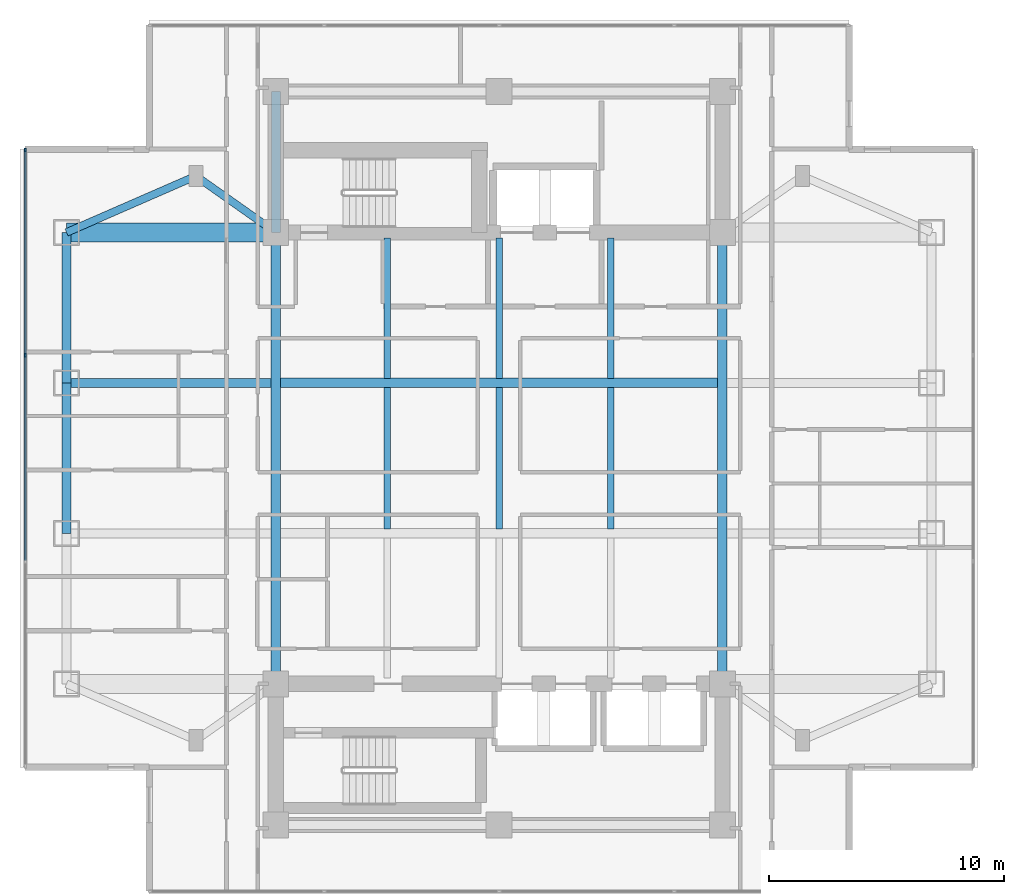
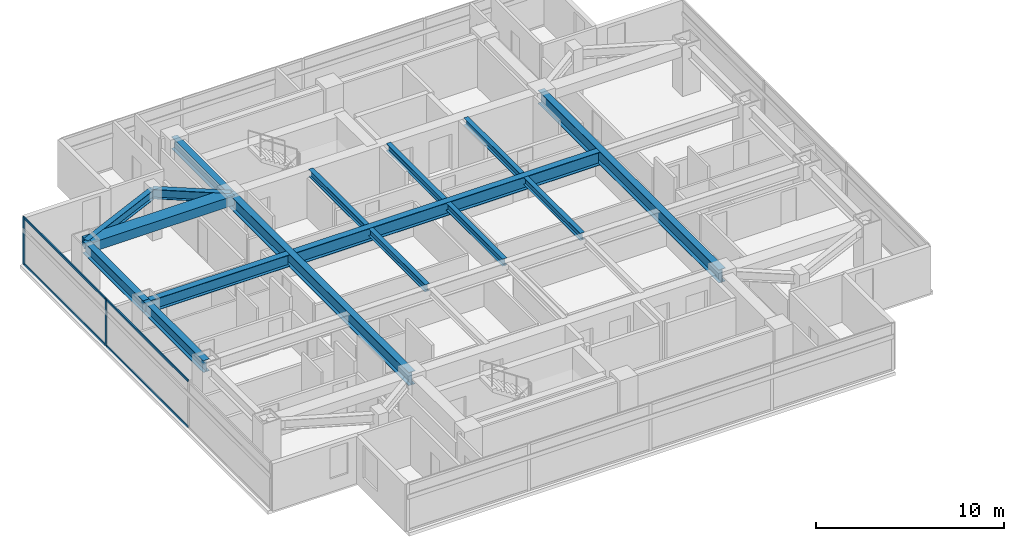
# One storey, part 3 of 26: 16 beams, 6 members, 1 element without a shape of its own.
"""IFC4 building model written with IfcOpenShell, lengths in metres."""

import ifcopenshell
import ifcopenshell.guid

model = None  # the IFC model being written
_history = None  # IfcOwnerHistory: only IFC2X3 demands one
_inside = {}  # id of a spatial element -> (the spatial element, [elements in it])
_under = {}  # id of a project, library or spatial element -> (it, [spatial elements below it])
_declared = {}  # id of a project -> (the project, [libraries it declares])
_typed = {}  # id of a type object -> (the type object, [elements of that type])
_made_of = {}  # id of a material, layer set ... -> (it, [elements and type objects made of it])


def new_model(schema):
    """Start an empty IFC model of exactly this schema.

    Asked for "IFC4X3", IfcOpenShell would pick the latest addendum, in which some entities
    have other attributes; the version numbers below select the first issue.
    IFC2X3 requires an IfcOwnerHistory on every rooted entity: one is made here for all.
    """
    global model, _history
    if schema == "IFC4X3":
        model = ifcopenshell.file(schema_version=(4, 3, 0, 0))
    else:
        model = ifcopenshell.file(schema=schema)
    _inside.clear()
    _under.clear()
    _declared.clear()
    _typed.clear()
    _made_of.clear()
    _history = None
    if model.schema == "IFC2X3":
        org = make("IfcOrganization", Name="unknown")
        user = make(
            "IfcPersonAndOrganization",
            ThePerson=make("IfcPerson", FamilyName="unknown"),
            TheOrganization=org,
        )
        app = make(
            "IfcApplication",
            ApplicationDeveloper=org,
            Version="unknown",
            ApplicationFullName="unknown",
            ApplicationIdentifier="unknown",
        )
        _history = make(
            "IfcOwnerHistory",
            OwningUser=user,
            OwningApplication=app,
            ChangeAction="ADDED",
            CreationDate=0,
        )
    return model


def make(cls, **values):
    """One entity of the class cls with the attributes given. An attribute that is None is left unset."""
    return model.create_entity(
        cls, **{name: value for name, value in values.items() if value is not None}
    )


def rooted(cls, **values):
    """An entity with a GlobalId (a new one), such as an element, a storey or a relation."""
    return make(cls, GlobalId=ifcopenshell.guid.new(), OwnerHistory=_history, **values)


def si_unit(unit_type, name, prefix=None):
    """IfcSIUnit, for example si_unit("LENGTHUNIT", "METRE", prefix="MILLI")."""
    return make("IfcSIUnit", UnitType=unit_type, Prefix=prefix, Name=name)


def assignment(units):
    """IfcUnitAssignment: the units of a project."""
    return None if units is None else make("IfcUnitAssignment", Units=units)


def point(xyz):
    """IfcCartesianPoint."""
    return None if xyz is None else make("IfcCartesianPoint", Coordinates=xyz)


def direction(xyz):
    """IfcDirection."""
    return None if xyz is None else make("IfcDirection", DirectionRatios=xyz)


def frame(location, z_axis=None, x_axis=None):
    """IfcAxis2Placement3D, a coordinate frame: its origin and axes. An axis left out is left unset."""
    return make(
        "IfcAxis2Placement3D",
        Location=point(location),
        Axis=direction(z_axis),
        RefDirection=direction(x_axis),
    )


def frame_2d(location, x_axis=None):
    """IfcAxis2Placement2D, a coordinate frame in the plane: its origin and x axis."""
    return make(
        "IfcAxis2Placement2D", Location=point(location), RefDirection=direction(x_axis)
    )


def origin():
    """The frame at (0, 0, 0) with its axes left unset."""
    return frame((0.0, 0.0, 0.0))


def origin_2d():
    """The frame at (0, 0) in the plane with its x axis left unset."""
    return frame_2d((0.0, 0.0))


def place(relative_to, where):
    """IfcLocalPlacement: puts the frame where relative to a parent placement (None: the world)."""
    return make(
        "IfcLocalPlacement", PlacementRelTo=relative_to, RelativePlacement=where
    )


def context(
    kind, dimensions, precision=None, world=None, true_north=None, identifier=None
):
    """IfcGeometricRepresentationContext, for example the 3D "Model" context."""
    return make(
        "IfcGeometricRepresentationContext",
        ContextIdentifier=identifier,
        ContextType=kind,
        CoordinateSpaceDimension=dimensions,
        Precision=precision,
        WorldCoordinateSystem=world,
        TrueNorth=true_north,
    )


def subcontext(parent, identifier, kind, view, scale=None):
    """IfcGeometricRepresentationSubContext, for example "Body" below "Model"."""
    return make(
        "IfcGeometricRepresentationSubContext",
        ContextIdentifier=identifier,
        ContextType=kind,
        ParentContext=parent,
        TargetScale=scale,
        TargetView=view,
    )


def project(units=None, contexts=None):
    """IfcProject with its units and contexts."""
    return rooted(
        "IfcProject",
        Name="project",
        RepresentationContexts=contexts,
        UnitsInContext=assignment(units),
    )


def spatial(cls, under=None, at=None, **own):
    """A site, building, storey or space (cls), placed at a placement, below another one or the project."""
    s = rooted(cls, ObjectPlacement=at, **own)
    if under is not None:
        _under.setdefault(under.id(), (under, []))[1].append(s)
    return s


def profile(cls, at=None, kind="AREA", **sizes):
    """A parametric profile (cls). Its sizes go by their IFC names, for example OverallWidth=200.0."""
    return make(cls, ProfileType=kind, Position=at, **sizes)


def rectangle(**sizes):
    """IfcRectangleProfileDef."""
    return profile("IfcRectangleProfileDef", **sizes)


def i_section(**sizes):
    """IfcIShapeProfileDef."""
    return profile("IfcIShapeProfileDef", **sizes)


def extrude(swept, where, along, depth):
    """IfcExtrudedAreaSolid: the profile swept, set in the frame where, extruded along a direction by depth."""
    return make(
        "IfcExtrudedAreaSolid",
        SweptArea=swept,
        Position=where,
        ExtrudedDirection=direction(along),
        Depth=depth,
    )


def shape(context_of_items, identifier, shape_type, items):
    """IfcShapeRepresentation: the items that make up one representation, for example the "Body"."""
    return make(
        "IfcShapeRepresentation",
        ContextOfItems=context_of_items,
        RepresentationIdentifier=identifier,
        RepresentationType=shape_type,
        Items=items,
    )


def material(Name=None, Category=None):
    """IfcMaterial."""
    return make("IfcMaterial", Name=Name, Category=Category)


def material_profile(
    of_material, cross_section, Name=None, Category=None, Priority=None
):
    """IfcMaterialProfile: a cross section and its material."""
    return make(
        "IfcMaterialProfile",
        Name=Name,
        Material=of_material,
        Profile=cross_section,
        Priority=Priority,
        Category=Category,
    )


def profile_set(profiles, Name=None, composite=None):
    """IfcMaterialProfileSet."""
    return make(
        "IfcMaterialProfileSet",
        Name=Name,
        MaterialProfiles=profiles,
        CompositeProfile=composite,
    )


def made_of(thing, what):
    """Note that an element or type object is made of a material, layer set ...; save() writes the relation."""
    if what is not None:
        _made_of.setdefault(what.id(), (what, []))[1].append(thing)
    return thing


def type_object(cls, material=None, **own):
    """A type object (cls), such as IfcWallType, which elements share."""
    return made_of(rooted(cls, **own), material)


def element(
    cls,
    number,
    at=None,
    inside=None,
    cuts=None,
    type_object=None,
    material=None,
    context=None,
    identifier="Body",
    shape_type=None,
    held_by="IfcProductDefinitionShape",
    body=None,
    shapes=None,
    **own,
):
    """One element of the class cls, such as IfcWall. Its Tag is "e" and its number.

    at: its placement. inside: the storey or other place that contains it. cuts: it is an
    opening in that element (IfcRelVoidsElement). A single representation is given by context,
    identifier, shape_type and body (its items); several are given by shapes. held_by: the class
    of the entity that holds the representations. save() writes the other relations.
    """
    e = rooted(cls, Tag="e%d" % number, ObjectPlacement=at, **own)
    if body is not None:
        shapes = [shape(context, identifier, shape_type, body)]
    if shapes is not None:
        e.Representation = make(held_by, Representations=shapes)
    if inside is not None:
        _inside.setdefault(inside.id(), (inside, []))[1].append(e)
    if cuts is not None:
        rooted(
            "IfcRelVoidsElement", RelatingBuildingElement=cuts, RelatedOpeningElement=e
        )
    if type_object is not None:
        _typed.setdefault(type_object.id(), (type_object, []))[1].append(e)
    return made_of(e, material)


def aggregate(whole, parts):
    """IfcRelAggregates: a whole, such as a stair, and the parts it consists of."""
    return rooted("IfcRelAggregates", RelatingObject=whole, RelatedObjects=parts)


def save(model, path):
    """Write the relations noted so far, then the file.

    IfcRelAggregates (storeys below a building ...), IfcRelContainedInSpatialStructure (elements
    in a storey), IfcRelDefinesByType, IfcRelAssociatesMaterial and IfcRelDeclares: one each for
    every whole, place, type object, material and project.
    """
    for whole, parts in _under.values():
        aggregate(whole, parts)
    for where, things in _inside.values():
        rooted(
            "IfcRelContainedInSpatialStructure",
            RelatedElements=things,
            RelatingStructure=where,
        )
    for kind, things in _typed.values():
        rooted("IfcRelDefinesByType", RelatedObjects=things, RelatingType=kind)
    for what, things in _made_of.values():
        rooted("IfcRelAssociatesMaterial", RelatedObjects=things, RelatingMaterial=what)
    for by, libraries in _declared.values():
        rooted("IfcRelDeclares", RelatingContext=by, RelatedDefinitions=libraries)
    model.write(path)


model = new_model("IFC4")

# Units and contexts
model_context = context("Model", 3, precision=1e-05, world=origin(), true_north=direction((0.0, 1.0)))
body_context = subcontext(model_context, "Body", "Model", "MODEL_VIEW")
ifc_project = project(units=[si_unit("LENGTHUNIT", "METRE"), si_unit("AREAUNIT", "SQUARE_METRE"), si_unit("VOLUMEUNIT", "CUBIC_METRE"), si_unit("PLANEANGLEUNIT", "RADIAN"), si_unit("MASSUNIT", "GRAM", prefix="KILO")], contexts=[model_context])

# Site, building, storey
site_placement = place(None, origin())
site = spatial("IfcSite", under=ifc_project, at=site_placement, CompositionType="ELEMENT")
building_placement = place(site_placement, origin())
building = spatial("IfcBuilding", under=site, at=building_placement, Name="Mirazonda Arch Towers", CompositionType="ELEMENT")
storey_placement = place(building_placement, frame((0.0, 0.0, 121.39990234375)))
storey = spatial("IfcBuildingStorey", under=building, at=storey_placement, Name="L34", CompositionType="ELEMENT", Elevation=121.39990234375)

# Beams
ifc_material_1 = material(Name="Steel ASTM A992 Grade 50", Category="steel")
ifc_material_profile_1 = material_profile(ifc_material_1, i_section(OverallWidth=0.381103515625, OverallDepth=0.77294921875, WebThickness=0.0166015625, FlangeThickness=0.027099609375, at=origin_2d()), Name="W30X173")
ifc_profile_set_1 = profile_set([ifc_material_profile_1], Name="Steel ASTM A992 Grade 50")
beam_type_1 = type_object("IfcBeamType", Name="BM-EXT-W30X173", PredefinedType="USERDEFINED", material=ifc_profile_set_1)
beam_1_placement = place(storey_placement, frame((2.10009765625, 24.800048828125, 2.693603515625), z_axis=(0.0, 1.0, 0.0), x_axis=(-1.0, 0.0, 0.0)))
element("IfcBeam", 1, at=beam_1_placement, inside=storey, type_object=beam_type_1, Name="L34 Floor Beam BM-T1-L34-NS-W-24", ObjectType="GIRDER", PredefinedType="USERDEFINED", context=body_context, shape_type="SweptSolid", body=[
    extrude(i_section(OverallWidth=0.381103515625, OverallDepth=0.77294921875, WebThickness=0.0166015625, FlangeThickness=0.027099609375, at=origin_2d()), origin(), (0.0, 0.0, 1.0), 6.39990234375),
])
beam_2_placement = place(storey_placement, frame((2.10009765625, 31.199951171875, 2.693603515625), z_axis=(0.0, 1.0, 0.0), x_axis=(-1.0, 0.0, 0.0)))
element("IfcBeam", 2, at=beam_2_placement, inside=storey, type_object=beam_type_1, Name="L34 Floor Beam BM-T1-L34-NS-W-31", ObjectType="GIRDER", PredefinedType="USERDEFINED", context=body_context, shape_type="SweptSolid", body=[
    extrude(i_section(OverallWidth=0.381103515625, OverallDepth=0.77294921875, WebThickness=0.0166015625, FlangeThickness=0.027099609375, at=origin_2d()), origin(), (0.0, 0.0, 1.0), 6.400146484375),
])
ifc_material_profile_2 = material_profile(ifc_material_1, i_section(OverallWidth=0.280029296875, OverallDepth=0.462890625, WebThickness=0.0107421875, FlangeThickness=0.017333984375, at=origin_2d()), Name="W18X76")
ifc_profile_set_2 = profile_set([ifc_material_profile_2], Name="Steel ASTM A992 Grade 50")
beam_type_2 = type_object("IfcBeamType", Name="BM-INT-W18X76", PredefinedType="JOIST", material=ifc_profile_set_2)
beam_3_placement = place(storey_placement, frame((15.75, 31.39599609375, 2.8486328125), z_axis=(0.0, 1.0, 0.0), x_axis=(-1.0, 0.0, 0.0)))
element("IfcBeam", 3, at=beam_3_placement, inside=storey, type_object=beam_type_2, Name="L34 Floor Beam BM-T1-L34-J-157-31", PredefinedType="JOIST", context=body_context, shape_type="SweptSolid", body=[
    extrude(i_section(OverallWidth=0.280029296875, OverallDepth=0.462890625, WebThickness=0.0107421875, FlangeThickness=0.017333984375, at=origin_2d()), origin(), (0.0, 0.0, 1.0), 5.964111328125),
])
beam_4_placement = place(storey_placement, frame((15.75, 24.99609375, 2.8486328125), z_axis=(0.0, 1.0, 0.0), x_axis=(-1.0, 0.0, 0.0)))
element("IfcBeam", 4, at=beam_4_placement, inside=storey, type_object=beam_type_2, Name="L34 Floor Beam BM-T1-L34-J-157-24", PredefinedType="JOIST", context=body_context, shape_type="SweptSolid", body=[
    extrude(i_section(OverallWidth=0.280029296875, OverallDepth=0.462890625, WebThickness=0.0107421875, FlangeThickness=0.017333984375, at=origin_2d()), origin(), (0.0, 0.0, 1.0), 6.0078125),
])
beam_5_placement = place(storey_placement, frame((20.5, 31.39599609375, 2.8486328125), z_axis=(0.0, 1.0, 0.0), x_axis=(-1.0, 0.0, 0.0)))
element("IfcBeam", 5, at=beam_5_placement, inside=storey, type_object=beam_type_2, Name="L34 Floor Beam BM-T1-L34-J-205-31", PredefinedType="JOIST", context=body_context, shape_type="SweptSolid", body=[
    extrude(i_section(OverallWidth=0.280029296875, OverallDepth=0.462890625, WebThickness=0.0107421875, FlangeThickness=0.017333984375, at=origin_2d()), origin(), (0.0, 0.0, 1.0), 5.964111328125),
])
beam_6_placement = place(storey_placement, frame((20.5, 24.99609375, 2.8486328125), z_axis=(0.0, 1.0, 0.0), x_axis=(-1.0, 0.0, 0.0)))
element("IfcBeam", 6, at=beam_6_placement, inside=storey, type_object=beam_type_2, Name="L34 Floor Beam BM-T1-L34-J-205-24", PredefinedType="JOIST", context=body_context, shape_type="SweptSolid", body=[
    extrude(i_section(OverallWidth=0.280029296875, OverallDepth=0.462890625, WebThickness=0.0107421875, FlangeThickness=0.017333984375, at=origin_2d()), origin(), (0.0, 0.0, 1.0), 6.0078125),
])
beam_7_placement = place(storey_placement, frame((25.25, 31.39599609375, 2.8486328125), z_axis=(0.0, 1.0, 0.0), x_axis=(-1.0, 0.0, 0.0)))
element("IfcBeam", 7, at=beam_7_placement, inside=storey, type_object=beam_type_2, Name="L34 Floor Beam BM-T1-L34-J-252-31", PredefinedType="JOIST", context=body_context, shape_type="SweptSolid", body=[
    extrude(i_section(OverallWidth=0.280029296875, OverallDepth=0.462890625, WebThickness=0.0107421875, FlangeThickness=0.017333984375, at=origin_2d()), origin(), (0.0, 0.0, 1.0), 5.964111328125),
])
beam_8_placement = place(storey_placement, frame((25.25, 24.99609375, 2.8486328125), z_axis=(0.0, 1.0, 0.0), x_axis=(-1.0, 0.0, 0.0)))
element("IfcBeam", 8, at=beam_8_placement, inside=storey, type_object=beam_type_2, Name="L34 Floor Beam BM-T1-L34-J-252-24", PredefinedType="JOIST", context=body_context, shape_type="SweptSolid", body=[
    extrude(i_section(OverallWidth=0.280029296875, OverallDepth=0.462890625, WebThickness=0.0107421875, FlangeThickness=0.017333984375, at=origin_2d()), origin(), (0.0, 0.0, 1.0), 6.0078125),
])
ifc_material_profile_3 = material_profile(ifc_material_1, i_section(OverallWidth=0.324951171875, OverallDepth=0.615966796875, WebThickness=0.013916015625, FlangeThickness=0.021484375, at=origin_2d()), Name="W24X117")
ifc_profile_set_3 = profile_set([ifc_material_profile_3], Name="Steel ASTM A992 Grade 50")
beam_type_3 = type_object("IfcBeamType", Name="BM-INT-W24X117", PredefinedType="BEAM", material=ifc_profile_set_3)
beam_9_placement = place(storey_placement, frame((7.60009765625, 40.0, 2.772216796875), z_axis=(0.816971114901, -0.576678591087, 0.0), x_axis=(0.576678591087, 0.816971114901, 0.0)))
element("IfcBeam", 9, at=beam_9_placement, inside=storey, type_object=beam_type_3, Name="L34 Floor Beam BM-T1-L34-PL-NW1", PredefinedType="BEAM", context=body_context, shape_type="SweptSolid", body=[
    extrude(i_section(OverallWidth=0.324951171875, OverallDepth=0.615966796875, WebThickness=0.013916015625, FlangeThickness=0.021484375, at=origin_2d()), origin(), (0.0, 0.0, 1.0), 4.16162109375),
])
beam_10_placement = place(storey_placement, frame((7.60009765625, 40.0, 2.772216796875), z_axis=(-0.916545343703, -0.399930785183, 0.0), x_axis=(0.399930785183, -0.916545343703, 0.0)))
element("IfcBeam", 10, at=beam_10_placement, inside=storey, type_object=beam_type_3, Name="L34 Floor Beam BM-T1-L34-PL-NW2", PredefinedType="BEAM", context=body_context, shape_type="SweptSolid", body=[
    extrude(i_section(OverallWidth=0.324951171875, OverallDepth=0.615966796875, WebThickness=0.013916015625, FlangeThickness=0.021484375, at=origin_2d()), origin(), (0.0, 0.0, 1.0), 6.000732421875),
])
ifc_material_profile_4 = material_profile(ifc_material_1, i_section(OverallWidth=0.381103515625, OverallDepth=0.77294921875, WebThickness=0.0166015625, FlangeThickness=0.027099609375, at=origin_2d()), Name="W30X173")
ifc_profile_set_4 = profile_set([ifc_material_profile_4], Name="Steel ASTM A992 Grade 50")
beam_type_4 = type_object("IfcBeamType", Name="BM-INT-W30X173", PredefinedType="USERDEFINED", material=ifc_profile_set_4)
beam_11_placement = place(storey_placement, frame((2.10009765625, 31.199951171875, 2.693603515625), z_axis=(1.0, 0.0, 0.0), x_axis=(0.0, 1.0, 0.0)))
element("IfcBeam", 11, at=beam_11_placement, inside=storey, type_object=beam_type_4, Name="L34 Floor Beam BM-T1-L34-GW3", ObjectType="GIRDER", PredefinedType="USERDEFINED", context=body_context, shape_type="SweptSolid", body=[
    extrude(i_section(OverallWidth=0.381103515625, OverallDepth=0.77294921875, WebThickness=0.0166015625, FlangeThickness=0.027099609375, at=origin_2d()), origin(), (0.0, 0.0, 1.0), 8.699951171875),
])
beam_12_placement = place(storey_placement, frame((11.0, 37.60009765625, 2.693603515625), z_axis=(0.0, 1.0, 0.0), x_axis=(-1.0, 0.0, 0.0)))
element("IfcBeam", 12, at=beam_12_placement, inside=storey, type_object=beam_type_4, Name="L34 Floor Beam BM-T1-L34-CNW", ObjectType="GIRDER", PredefinedType="USERDEFINED", context=body_context, shape_type="SweptSolid", body=[
    extrude(i_section(OverallWidth=0.381103515625, OverallDepth=0.77294921875, WebThickness=0.0166015625, FlangeThickness=0.027099609375, at=origin_2d()), origin(), (0.0, 0.0, 1.0), 6.0),
])
ifc_material_profile_5 = material_profile(ifc_material_1, i_section(OverallWidth=0.39990234375, OverallDepth=0.85595703125, WebThickness=0.018310546875, FlangeThickness=0.029296875, at=origin_2d()), Name="W33X201")
ifc_profile_set_5 = profile_set([ifc_material_profile_5], Name="Steel ASTM A992 Grade 50")
beam_type_5 = type_object("IfcBeamType", Name="BM-INT-W33X201", PredefinedType="USERDEFINED", material=ifc_profile_set_5)
beam_13_placement = place(storey_placement, frame((11.199951171875, 31.199951171875, 2.652099609375), z_axis=(1.0, 0.0, 0.0), x_axis=(0.0, 1.0, 0.0)))
element("IfcBeam", 13, at=beam_13_placement, inside=storey, type_object=beam_type_5, Name="L34 Floor Beam BM-T1-L34-GC3", ObjectType="GIRDER", PredefinedType="USERDEFINED", context=body_context, shape_type="SweptSolid", body=[
    extrude(i_section(OverallWidth=0.39990234375, OverallDepth=0.85595703125, WebThickness=0.018310546875, FlangeThickness=0.029296875, at=origin_2d()), origin(), (0.0, 0.0, 1.0), 18.60009765625),
])
for number, where, z_axis, x_axis, name in (
    (14, (11.0, 18.39990234375, 2.652099609375), (0.0, 1.0, 0.0), (-1.0, 0.0, 0.0), "L34 Floor Beam BM-T1-L34-NS-CW-FULL"),
    (15, (30.0, 18.39990234375, 2.652099609375), (0.0, 1.0, 0.0), (-1.0, 0.0, 0.0), "L34 Floor Beam BM-T1-L34-NS-CE-FULL"),
):
    element("IfcBeam", number, at=place(storey_placement, frame(where, z_axis=z_axis, x_axis=x_axis)), inside=storey, type_object=beam_type_5, Name=name, ObjectType="GIRDER", PredefinedType="USERDEFINED", context=body_context, shape_type="SweptSolid", body=[
        extrude(i_section(OverallWidth=0.39990234375, OverallDepth=0.85595703125, WebThickness=0.018310546875, FlangeThickness=0.029296875, at=origin_2d()), origin(), (0.0, 0.0, 1.0), 19.2001953125),
    ])
ifc_material_2 = material(Name="Concrete C60/75", Category="concrete")
ifc_material_profile_6 = material_profile(ifc_material_2, rectangle(XDim=0.800048828125, YDim=0.60009765625, at=origin_2d()), Name="RCCB800x600")
ifc_profile_set_6 = profile_set([ifc_material_profile_6], Name="Concrete C60/75")
beam_type_6 = type_object("IfcBeamType", Name="CB-INT-RCCB800x600", PredefinedType="SPANDREL", material=ifc_profile_set_6)
beam_14_placement = place(storey_placement, frame((2.10009765625, 37.60009765625, 2.780029296875), z_axis=(1.0, 0.0, 0.0), x_axis=(0.0, 1.0, 0.0)))
element("IfcBeam", 16, at=beam_14_placement, inside=storey, type_object=beam_type_6, Name="L34 Floor Beam CBC-T1-L34-NW", PredefinedType="SPANDREL", context=body_context, shape_type="SweptSolid", body=[
    extrude(rectangle(XDim=0.800048828125, YDim=0.60009765625, at=origin_2d()), origin(), (0.0, 0.0, 1.0), 8.89990234375),
])

# Curtain wall, members
ifc_material_3 = material(Name="Anodised Aluminium and Low-E Glass", Category="aluminium")
curtain_wall_type = type_object("IfcCurtainWallType", Name="CW-HTL-UNIT", PredefinedType="NOTDEFINED", material=ifc_material_3)
curtain_wall_placement = place(storey_placement, origin())
curtain_wall = element("IfcCurtainWall", 17, at=curtain_wall_placement, inside=storey, type_object=curtain_wall_type, Name="L34 T1 W Facade CW-L34-T1-W", PredefinedType="NOTDEFINED")
ifc_material_4 = material(Name="Anodised Aluminium Alloy", Category="aluminium")
ifc_material_profile_7 = material_profile(ifc_material_4, rectangle(XDim=0.074951171875, YDim=0.1650390625, at=origin_2d()), Name="ALU-MULL-75x165")
ifc_profile_set_7 = profile_set([ifc_material_profile_7], Name="Anodised Aluminium Alloy")
member_type_1 = type_object("IfcMemberType", Name="MULL-CW-HTL-UNIT", PredefinedType="MULLION", material=ifc_profile_set_7)
member_1_placement = place(storey_placement, frame((0.340087890625, 41.110595703125, 0.0), z_axis=(0.0, 0.0, 1.0), x_axis=(1.0, 0.0, 0.0)))
member_1 = element("IfcMember", 18, at=member_1_placement, type_object=member_type_1, Name="CW-112 mullion 1", PredefinedType="MULLION", context=body_context, shape_type="SweptSolid", body=[
    extrude(rectangle(XDim=0.074951171875, YDim=0.1650390625, at=origin_2d()), origin(), (0.0, 0.0, 1.0), 3.06005859375),
])
member_2_placement = place(storey_placement, frame((0.340087890625, 32.382568359375, 0.0), z_axis=(0.0, 0.0, 1.0), x_axis=(1.0, 0.0, 0.0)))
member_2 = element("IfcMember", 19, at=member_2_placement, type_object=member_type_1, Name="CW-112 mullion 2", PredefinedType="MULLION", context=body_context, shape_type="SweptSolid", body=[
    extrude(rectangle(XDim=0.074951171875, YDim=0.1650390625, at=origin_2d()), origin(), (0.0, 0.0, 1.0), 3.06005859375),
])
ifc_material_profile_8 = material_profile(ifc_material_4, rectangle(XDim=0.074951171875, YDim=0.14501953125, at=origin_2d()), Name="ALU-TRAN-75x145")
ifc_profile_set_8 = profile_set([ifc_material_profile_8], Name="Anodised Aluminium Alloy")
member_type_2 = type_object("IfcMemberType", Name="TRAN-CW-HTL-UNIT", PredefinedType="USERDEFINED", material=ifc_profile_set_8)
member_3_placement = place(storey_placement, frame((0.340087890625, 41.072998046875, 0.03759765625), z_axis=(0.0, -1.0, 0.0), x_axis=(1.0, 0.0, 0.0)))
member_3 = element("IfcMember", 20, at=member_3_placement, type_object=member_type_2, Name="CW-112 transom 1.1", ObjectType="TRANSOM", PredefinedType="USERDEFINED", context=body_context, shape_type="SweptSolid", body=[
    extrude(rectangle(XDim=0.074951171875, YDim=0.14501953125, at=origin_2d()), origin(), (0.0, 0.0, 1.0), 8.65283203125),
])
member_4_placement = place(storey_placement, frame((0.340087890625, 41.072998046875, 3.022705078125), z_axis=(0.0, -1.0, 0.0), x_axis=(1.0, 0.0, 0.0)))
member_4 = element("IfcMember", 21, at=member_4_placement, type_object=member_type_2, Name="CW-112 transom 1.2", ObjectType="TRANSOM", PredefinedType="USERDEFINED", context=body_context, shape_type="SweptSolid", body=[
    extrude(rectangle(XDim=0.074951171875, YDim=0.14501953125, at=origin_2d()), origin(), (0.0, 0.0, 1.0), 8.65283203125),
])
member_5_placement = place(storey_placement, frame((0.340087890625, 32.34521484375, 0.03759765625), z_axis=(0.0, -1.0, 0.0), x_axis=(1.0, 0.0, 0.0)))
member_5 = element("IfcMember", 22, at=member_5_placement, type_object=member_type_2, Name="CW-112 transom 2.1", ObjectType="TRANSOM", PredefinedType="USERDEFINED", context=body_context, shape_type="SweptSolid", body=[
    extrude(rectangle(XDim=0.074951171875, YDim=0.14501953125, at=origin_2d()), origin(), (0.0, 0.0, 1.0), 8.6904296875),
])
member_6_placement = place(storey_placement, frame((0.340087890625, 32.34521484375, 3.022705078125), z_axis=(0.0, -1.0, 0.0), x_axis=(1.0, 0.0, 0.0)))
member_6 = element("IfcMember", 23, at=member_6_placement, type_object=member_type_2, Name="CW-112 transom 2.2", ObjectType="TRANSOM", PredefinedType="USERDEFINED", context=body_context, shape_type="SweptSolid", body=[
    extrude(rectangle(XDim=0.074951171875, YDim=0.14501953125, at=origin_2d()), origin(), (0.0, 0.0, 1.0), 8.6904296875),
])
aggregate(curtain_wall, [member_1, member_2, member_3, member_4, member_5, member_6])

save(model, "model.ifc")
